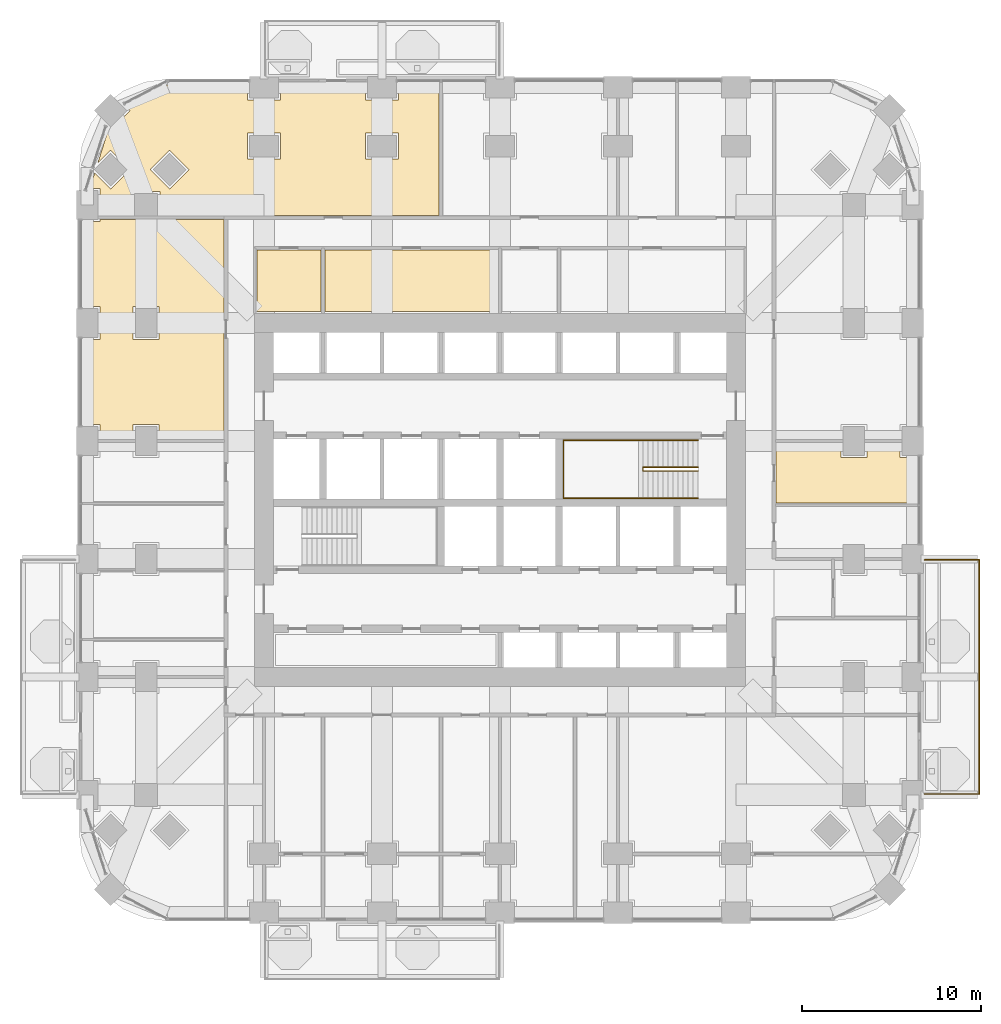
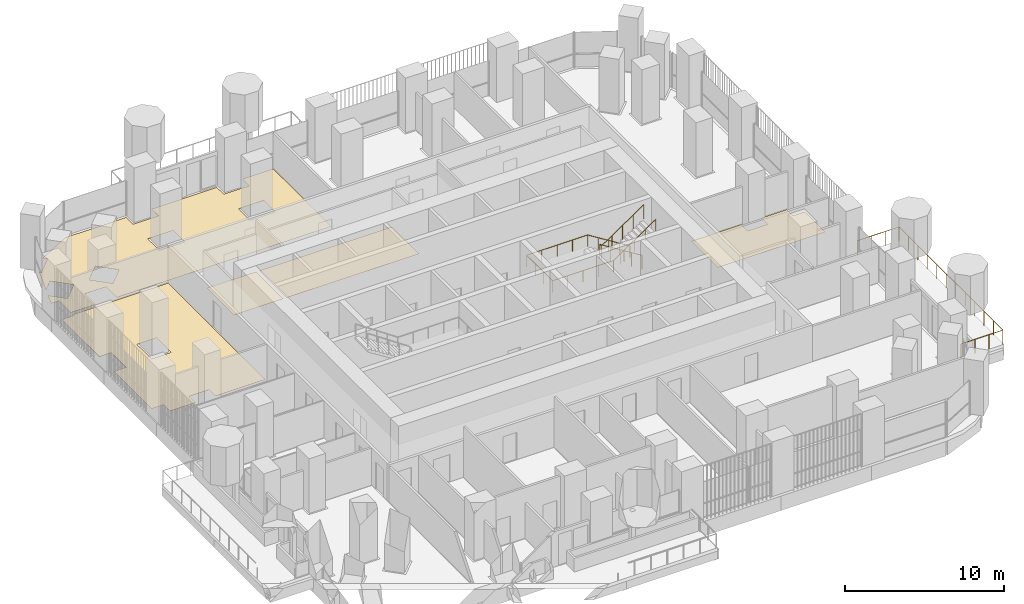
# One storey, part 19 of 21: 5 coverings, 3 railings.
"""IFC4 building model written with IfcOpenShell, lengths in metres."""

from ifc_helpers import new_model, si_unit, direction, frame, origin, place, context, subcontext, project, spatial, polyline, outline, extrude, material, layer, layer_set, type_object, element, save


model = new_model("IFC4")

# Units and contexts
model_context = context("Model", 3, precision=1e-05, world=origin(), true_north=direction((0.0, 1.0)))
body_context = subcontext(model_context, "Body", "Model", "MODEL_VIEW")
ifc_project = project(units=[si_unit("LENGTHUNIT", "METRE"), si_unit("AREAUNIT", "SQUARE_METRE"), si_unit("VOLUMEUNIT", "CUBIC_METRE"), si_unit("PLANEANGLEUNIT", "RADIAN"), si_unit("MASSUNIT", "GRAM", prefix="KILO")], contexts=[model_context])

# Site, building, storey
site_placement = place(None, origin())
site = spatial("IfcSite", under=ifc_project, at=site_placement, CompositionType="ELEMENT")
building_placement = place(site_placement, origin())
building = spatial("IfcBuilding", under=site, at=building_placement, Name="Cobogo Forest Laboratory Tower", CompositionType="ELEMENT")
storey_placement = place(building_placement, frame((0.0, 0.0, 99.0)))
storey = spatial("IfcBuildingStorey", under=building, at=storey_placement, Name="L22", CompositionType="ELEMENT", Elevation=99.0)

# Railing
ifc_material_1 = material(Name="Laminated glass balustrade", Category="glass")
railing_type_1 = type_object("IfcRailingType", Name="BG1 glass balustrade 1100", PredefinedType="GUARDRAIL", material=ifc_material_1)
railing_1_placement = place(storey_placement, frame((50.14990234375, 6.64990234375, 0.0)))
element("IfcRailing", 1, at=railing_1_placement, inside=storey, type_object=railing_type_1, Name="Balcony balustrade BAL-E1 L22", PredefinedType="GUARDRAIL", context=body_context, shape_type="SweptSolid", body=[
    extrude(outline(polyline([(0.022216796875, 0.00927734375), (0.00927734375, 0.022216796875), (-0.00927734375, 0.022216796875), (-0.022216796875, 0.00927734375), (-0.022216796875, -0.00927734375), (-0.00927734375, -0.022216796875), (0.00927734375, -0.022216796875), (0.022216796875, -0.00927734375), (0.022216796875, 0.00927734375)])), frame((0.0, 0.0, 1.077880859375), z_axis=(1.0, 0.0, 0.0), x_axis=(0.0, 1.0, 0.0)), (0.0, 0.0, 1.0), 3.050048828125),
    extrude(outline(polyline([(0.022216796875, 0.00927734375), (0.00927734375, 0.022216796875), (-0.00927734375, 0.022216796875), (-0.022216796875, 0.00927734375), (-0.022216796875, -0.00927734375), (-0.00927734375, -0.022216796875), (0.00927734375, -0.022216796875), (0.022216796875, -0.00927734375), (0.022216796875, 0.00927734375)])), frame((3.050048828125, 0.0, 1.077880859375), z_axis=(0.0, 1.0, 0.0), x_axis=(-1.0, 0.0, 0.0)), (0.0, 0.0, 1.0), 13.10009765625),
    extrude(outline(polyline([(0.022216796875, 0.00927734375), (0.00927734375, 0.022216796875), (-0.00927734375, 0.022216796875), (-0.022216796875, 0.00927734375), (-0.022216796875, -0.00927734375), (-0.00927734375, -0.022216796875), (0.00927734375, -0.022216796875), (0.022216796875, -0.00927734375), (0.022216796875, 0.00927734375)])), frame((3.050048828125, 13.10009765625, 1.077880859375), z_axis=(-1.0, 0.0, 0.0), x_axis=(0.0, -1.0, 0.0)), (0.0, 0.0, 1.0), 3.050048828125),
    extrude(outline(polyline([(0.019287109375, 0.008056640625), (0.008056640625, 0.019287109375), (-0.008056640625, 0.019287109375), (-0.019287109375, 0.008056640625), (-0.019287109375, -0.008056640625), (-0.008056640625, -0.019287109375), (0.008056640625, -0.019287109375), (0.019287109375, -0.008056640625), (0.019287109375, 0.008056640625)])), origin(), (0.0, 0.0, 1.0), 1.077880859375),
    extrude(outline(polyline([(0.019287109375, 0.008056640625), (0.008056640625, 0.019287109375), (-0.008056640625, 0.019287109375), (-0.019287109375, 0.008056640625), (-0.019287109375, -0.008056640625), (-0.008056640625, -0.019287109375), (0.008056640625, -0.019287109375), (0.019287109375, -0.008056640625), (0.019287109375, 0.008056640625)])), frame((1.0166015625, 0.0, 0.0)), (0.0, 0.0, 1.0), 1.077880859375),
    extrude(outline(polyline([(0.019287109375, 0.008056640625), (0.008056640625, 0.019287109375), (-0.008056640625, 0.019287109375), (-0.019287109375, 0.008056640625), (-0.019287109375, -0.008056640625), (-0.008056640625, -0.019287109375), (0.008056640625, -0.019287109375), (0.019287109375, -0.008056640625), (0.019287109375, 0.008056640625)])), frame((2.033447265625, 0.0, 0.0)), (0.0, 0.0, 1.0), 1.077880859375),
    extrude(outline(polyline([(0.019287109375, 0.008056640625), (0.008056640625, 0.019287109375), (-0.008056640625, 0.019287109375), (-0.019287109375, 0.008056640625), (-0.019287109375, -0.008056640625), (-0.008056640625, -0.019287109375), (0.008056640625, -0.019287109375), (0.019287109375, -0.008056640625), (0.019287109375, 0.008056640625)])), frame((3.050048828125, 0.0, 0.0)), (0.0, 0.0, 1.0), 1.077880859375),
    extrude(outline(polyline([(0.019287109375, 0.008056640625), (0.008056640625, 0.019287109375), (-0.008056640625, 0.019287109375), (-0.019287109375, 0.008056640625), (-0.019287109375, -0.008056640625), (-0.008056640625, -0.019287109375), (0.008056640625, -0.019287109375), (0.019287109375, -0.008056640625), (0.019287109375, 0.008056640625)])), frame((3.050048828125, 1.19091796875, 0.0)), (0.0, 0.0, 1.0), 1.077880859375),
    extrude(outline(polyline([(0.019287109375, 0.008056640625), (0.008056640625, 0.019287109375), (-0.008056640625, 0.019287109375), (-0.019287109375, 0.008056640625), (-0.019287109375, -0.008056640625), (-0.008056640625, -0.019287109375), (0.008056640625, -0.019287109375), (0.019287109375, -0.008056640625), (0.019287109375, 0.008056640625)])), frame((3.050048828125, 2.3818359375, 0.0)), (0.0, 0.0, 1.0), 1.077880859375),
    extrude(outline(polyline([(0.019287109375, 0.008056640625), (0.008056640625, 0.019287109375), (-0.008056640625, 0.019287109375), (-0.019287109375, 0.008056640625), (-0.019287109375, -0.008056640625), (-0.008056640625, -0.019287109375), (0.008056640625, -0.019287109375), (0.019287109375, -0.008056640625), (0.019287109375, 0.008056640625)])), frame((3.050048828125, 3.57275390625, 0.0)), (0.0, 0.0, 1.0), 1.077880859375),
    extrude(outline(polyline([(0.019287109375, 0.008056640625), (0.008056640625, 0.019287109375), (-0.008056640625, 0.019287109375), (-0.019287109375, 0.008056640625), (-0.019287109375, -0.008056640625), (-0.008056640625, -0.019287109375), (0.008056640625, -0.019287109375), (0.019287109375, -0.008056640625), (0.019287109375, 0.008056640625)])), frame((3.050048828125, 4.763671875, 0.0)), (0.0, 0.0, 1.0), 1.077880859375),
    extrude(outline(polyline([(0.019287109375, 0.008056640625), (0.008056640625, 0.019287109375), (-0.008056640625, 0.019287109375), (-0.019287109375, 0.008056640625), (-0.019287109375, -0.008056640625), (-0.008056640625, -0.019287109375), (0.008056640625, -0.019287109375), (0.019287109375, -0.008056640625), (0.019287109375, 0.008056640625)])), frame((3.050048828125, 5.95458984375, 0.0)), (0.0, 0.0, 1.0), 1.077880859375),
    extrude(outline(polyline([(0.019287109375, 0.008056640625), (0.008056640625, 0.019287109375), (-0.008056640625, 0.019287109375), (-0.019287109375, 0.008056640625), (-0.019287109375, -0.008056640625), (-0.008056640625, -0.019287109375), (0.008056640625, -0.019287109375), (0.019287109375, -0.008056640625), (0.019287109375, 0.008056640625)])), frame((3.050048828125, 7.1455078125, 0.0)), (0.0, 0.0, 1.0), 1.077880859375),
    extrude(outline(polyline([(0.019287109375, 0.008056640625), (0.008056640625, 0.019287109375), (-0.008056640625, 0.019287109375), (-0.019287109375, 0.008056640625), (-0.019287109375, -0.008056640625), (-0.008056640625, -0.019287109375), (0.008056640625, -0.019287109375), (0.019287109375, -0.008056640625), (0.019287109375, 0.008056640625)])), frame((3.050048828125, 8.33642578125, 0.0)), (0.0, 0.0, 1.0), 1.077880859375),
    extrude(outline(polyline([(0.019287109375, 0.008056640625), (0.008056640625, 0.019287109375), (-0.008056640625, 0.019287109375), (-0.019287109375, 0.008056640625), (-0.019287109375, -0.008056640625), (-0.008056640625, -0.019287109375), (0.008056640625, -0.019287109375), (0.019287109375, -0.008056640625), (0.019287109375, 0.008056640625)])), frame((3.050048828125, 9.52734375, 0.0)), (0.0, 0.0, 1.0), 1.077880859375),
    extrude(outline(polyline([(0.019287109375, 0.008056640625), (0.008056640625, 0.019287109375), (-0.008056640625, 0.019287109375), (-0.019287109375, 0.008056640625), (-0.019287109375, -0.008056640625), (-0.008056640625, -0.019287109375), (0.008056640625, -0.019287109375), (0.019287109375, -0.008056640625), (0.019287109375, 0.008056640625)])), frame((3.050048828125, 10.71826171875, 0.0)), (0.0, 0.0, 1.0), 1.077880859375),
    extrude(outline(polyline([(0.019287109375, 0.008056640625), (0.008056640625, 0.019287109375), (-0.008056640625, 0.019287109375), (-0.019287109375, 0.008056640625), (-0.019287109375, -0.008056640625), (-0.008056640625, -0.019287109375), (0.008056640625, -0.019287109375), (0.019287109375, -0.008056640625), (0.019287109375, 0.008056640625)])), frame((3.050048828125, 11.9091796875, 0.0)), (0.0, 0.0, 1.0), 1.077880859375),
    extrude(outline(polyline([(0.019287109375, 0.008056640625), (0.008056640625, 0.019287109375), (-0.008056640625, 0.019287109375), (-0.019287109375, 0.008056640625), (-0.019287109375, -0.008056640625), (-0.008056640625, -0.019287109375), (0.008056640625, -0.019287109375), (0.019287109375, -0.008056640625), (0.019287109375, 0.008056640625)])), frame((3.050048828125, 13.10009765625, 0.0)), (0.0, 0.0, 1.0), 1.077880859375),
    extrude(outline(polyline([(0.019287109375, 0.008056640625), (0.008056640625, 0.019287109375), (-0.008056640625, 0.019287109375), (-0.019287109375, 0.008056640625), (-0.019287109375, -0.008056640625), (-0.008056640625, -0.019287109375), (0.008056640625, -0.019287109375), (0.019287109375, -0.008056640625), (0.019287109375, 0.008056640625)])), frame((2.033447265625, 13.10009765625, 0.0)), (0.0, 0.0, 1.0), 1.077880859375),
    extrude(outline(polyline([(0.019287109375, 0.008056640625), (0.008056640625, 0.019287109375), (-0.008056640625, 0.019287109375), (-0.019287109375, 0.008056640625), (-0.019287109375, -0.008056640625), (-0.008056640625, -0.019287109375), (0.008056640625, -0.019287109375), (0.019287109375, -0.008056640625), (0.019287109375, 0.008056640625)])), frame((1.0166015625, 13.10009765625, 0.0)), (0.0, 0.0, 1.0), 1.077880859375),
    extrude(outline(polyline([(0.019287109375, 0.008056640625), (0.008056640625, 0.019287109375), (-0.008056640625, 0.019287109375), (-0.019287109375, 0.008056640625), (-0.019287109375, -0.008056640625), (-0.008056640625, -0.019287109375), (0.008056640625, -0.019287109375), (0.019287109375, -0.008056640625), (0.019287109375, 0.008056640625)])), frame((0.0, 13.10009765625, 0.0)), (0.0, 0.0, 1.0), 1.077880859375),
])

# Coverings
ifc_material_2 = material(Name="Carpet tile on raised access floor", Category="flooring")
ifc_layer_1 = layer(ifc_material_2, 0.008056640625)
ifc_layer_set_1 = layer_set([ifc_layer_1], Name="CT1 carpet tile floor 8")
covering_type_1 = type_object("IfcCoveringType", Name="CT1 carpet tile floor 8", PredefinedType="FLOORING", material=ifc_layer_set_1)
covering_1_placement = place(storey_placement, origin())
element("IfcCovering", 2, at=covering_1_placement, inside=storey, type_object=covering_type_1, Name="Carpet floor L22-21", PredefinedType="FLOORING", context=body_context, shape_type="SweptSolid", body=[
    extrude(outline(polyline([(3.72412109375, 41.386962890625), (4.617919921875, 40.492919921875), (5.70703125, 41.58203125), (4.617919921875, 42.6708984375), (3.904052734375, 41.95703125), (4.51611328125, 43.89501953125), (4.617919921875, 43.79296875), (5.70703125, 44.882080078125), (5.480712890625, 45.1083984375), (7.84912109375, 46.35009765625), (12.280029296875, 46.35009765625), (12.280029296875, 45.47998046875), (14.1201171875, 45.47998046875), (14.1201171875, 46.35009765625), (18.8798828125, 46.35009765625), (18.8798828125, 45.47998046875), (20.719970703125, 45.47998046875), (20.719970703125, 46.35009765625), (22.97998046875, 46.35009765625), (22.97998046875, 39.02001953125), (7.3701171875, 39.02001953125), (7.3701171875, 40.3701171875), (5.830078125, 40.3701171875), (5.830078125, 39.02001953125), (4.02001953125, 39.02001953125), (4.02001953125, 40.52001953125), (3.4501953125, 40.52001953125), (3.72412109375, 41.386962890625)]), holes=[polyline([(18.8798828125, 42.179931640625), (20.719970703125, 42.179931640625), (20.719970703125, 43.6201171875), (18.8798828125, 43.6201171875), (18.8798828125, 42.179931640625)]), polyline([(12.280029296875, 43.6201171875), (12.280029296875, 42.179931640625), (14.1201171875, 42.179931640625), (14.1201171875, 43.6201171875), (12.280029296875, 43.6201171875)]), polyline([(6.8291015625, 41.58203125), (7.91796875, 40.492919921875), (9.007080078125, 41.58203125), (7.91796875, 42.6708984375), (6.8291015625, 41.58203125)])]), origin(), (0.0, 0.0, 1.0), 0.008056640625),
])
covering_2_placement = place(storey_placement, origin())
element("IfcCovering", 3, at=covering_2_placement, inside=storey, type_object=covering_type_1, Name="Carpet floor L22-30", PredefinedType="FLOORING", context=body_context, shape_type="SweptSolid", body=[
    extrude(outline(polyline([(4.02001953125, 38.780029296875), (10.955078125, 38.780029296875), (10.955078125, 26.52001953125), (7.320068359375, 26.52001953125), (7.320068359375, 27.320068359375), (5.8798828125, 27.320068359375), (5.8798828125, 26.52001953125), (4.02001953125, 26.52001953125), (4.02001953125, 27.320068359375), (3.14990234375, 27.320068359375), (3.14990234375, 32.080078125), (4.02001953125, 32.080078125), (4.02001953125, 33.919921875), (3.14990234375, 33.919921875), (3.14990234375, 38.679931640625), (4.02001953125, 38.679931640625), (4.02001953125, 38.780029296875)]), holes=[polyline([(5.8798828125, 32.080078125), (7.320068359375, 32.080078125), (7.320068359375, 33.919921875), (5.8798828125, 33.919921875), (5.8798828125, 32.080078125)])]), origin(), (0.0, 0.0, 1.0), 0.008056640625),
])

# Railings
ifc_material_3 = material(Name="Steel balustrade", Category="steel")
railing_type_2 = type_object("IfcRailingType", Name="GR stair guard 1100", PredefinedType="GUARDRAIL", material=ifc_material_3)
railing_2_placement = place(storey_placement, frame((37.47509765625, 24.929931640625, 0.175048828125)))
element("IfcRailing", 4, at=railing_2_placement, inside=storey, type_object=railing_type_2, Name="Stair guard ST2 L22", PredefinedType="GUARDRAIL", context=body_context, shape_type="SweptSolid", body=[
    extrude(outline(polyline([(0.022216796875, 0.00927734375), (0.00927734375, 0.022216796875), (-0.00927734375, 0.022216796875), (-0.022216796875, 0.00927734375), (-0.022216796875, -0.00927734375), (-0.00927734375, -0.022216796875), (0.00927734375, -0.022216796875), (0.022216796875, -0.00927734375), (0.022216796875, 0.00927734375)])), frame((0.0, 0.0, 1.077880859375), z_axis=(-0.847998304005, 0.0, 0.529998940003), x_axis=(0.0, -1.0, 0.0)), (0.0, 0.0, 1.0), 3.632080078125),
    extrude(outline(polyline([(0.022216796875, 0.00927734375), (0.00927734375, 0.022216796875), (-0.00927734375, 0.022216796875), (-0.022216796875, 0.00927734375), (-0.022216796875, -0.00927734375), (-0.00927734375, -0.022216796875), (0.00927734375, -0.022216796875), (0.022216796875, -0.00927734375), (0.022216796875, 0.00927734375)])), frame((-3.080078125, 0.0, 3.0029296875), z_axis=(0.0, -1.0, 0.0), x_axis=(1.0, 0.0, 0.0)), (0.0, 0.0, 1.0), 0.2099609375),
    extrude(outline(polyline([(0.022216796875, 0.00927734375), (0.00927734375, 0.022216796875), (-0.00927734375, 0.022216796875), (-0.022216796875, 0.00927734375), (-0.022216796875, -0.00927734375), (-0.00927734375, -0.022216796875), (0.00927734375, -0.022216796875), (0.022216796875, -0.00927734375), (0.022216796875, 0.00927734375)])), frame((-3.080078125, -0.2099609375, 3.0029296875), z_axis=(0.826252282691, 0.0, 0.563300244406), x_axis=(0.0, 1.0, 0.0)), (0.0, 0.0, 1.0), 3.727783203125),
    extrude(outline(polyline([(0.019287109375, 0.008056640625), (0.008056640625, 0.019287109375), (-0.008056640625, 0.019287109375), (-0.019287109375, 0.008056640625), (-0.019287109375, -0.008056640625), (-0.008056640625, -0.019287109375), (0.008056640625, -0.019287109375), (0.019287109375, -0.008056640625), (0.019287109375, 0.008056640625)])), origin(), (0.0, 0.0, 1.0), 1.077880859375),
    extrude(outline(polyline([(0.019287109375, 0.008056640625), (0.008056640625, 0.019287109375), (-0.008056640625, 0.019287109375), (-0.019287109375, 0.008056640625), (-0.019287109375, -0.008056640625), (-0.008056640625, -0.019287109375), (0.008056640625, -0.019287109375), (0.019287109375, -0.008056640625), (0.019287109375, 0.008056640625)])), frame((-0.77001953125, 0.0, 0.481201171875)), (0.0, 0.0, 1.0), 1.077880859375),
    extrude(outline(polyline([(0.019287109375, 0.008056640625), (0.008056640625, 0.019287109375), (-0.008056640625, 0.019287109375), (-0.019287109375, 0.008056640625), (-0.019287109375, -0.008056640625), (-0.008056640625, -0.019287109375), (0.008056640625, -0.019287109375), (0.019287109375, -0.008056640625), (0.019287109375, 0.008056640625)])), frame((-1.5400390625, 0.0, 0.96240234375)), (0.0, 0.0, 1.0), 1.077880859375),
    extrude(outline(polyline([(0.019287109375, 0.008056640625), (0.008056640625, 0.019287109375), (-0.008056640625, 0.019287109375), (-0.019287109375, 0.008056640625), (-0.019287109375, -0.008056640625), (-0.008056640625, -0.019287109375), (0.008056640625, -0.019287109375), (0.019287109375, -0.008056640625), (0.019287109375, 0.008056640625)])), frame((-2.31005859375, 0.0, 1.44384765625)), (0.0, 0.0, 1.0), 1.077880859375),
    extrude(outline(polyline([(0.019287109375, 0.008056640625), (0.008056640625, 0.019287109375), (-0.008056640625, 0.019287109375), (-0.019287109375, 0.008056640625), (-0.019287109375, -0.008056640625), (-0.008056640625, -0.019287109375), (0.008056640625, -0.019287109375), (0.019287109375, -0.008056640625), (0.019287109375, 0.008056640625)])), frame((-3.080078125, 0.0, 1.925048828125)), (0.0, 0.0, 1.0), 1.077880859375),
    extrude(outline(polyline([(0.019287109375, 0.008056640625), (0.008056640625, 0.019287109375), (-0.008056640625, 0.019287109375), (-0.019287109375, 0.008056640625), (-0.019287109375, -0.008056640625), (-0.008056640625, -0.019287109375), (0.008056640625, -0.019287109375), (0.019287109375, -0.008056640625), (0.019287109375, 0.008056640625)])), frame((-3.080078125, -0.2099609375, 1.925048828125)), (0.0, 0.0, 1.0), 1.077880859375),
    extrude(outline(polyline([(0.019287109375, 0.008056640625), (0.008056640625, 0.019287109375), (-0.008056640625, 0.019287109375), (-0.019287109375, 0.008056640625), (-0.019287109375, -0.008056640625), (-0.008056640625, -0.019287109375), (0.008056640625, -0.019287109375), (0.019287109375, -0.008056640625), (0.019287109375, 0.008056640625)])), frame((-2.31005859375, -0.2099609375, 2.449951171875)), (0.0, 0.0, 1.0), 1.077880859375),
    extrude(outline(polyline([(0.019287109375, 0.008056640625), (0.008056640625, 0.019287109375), (-0.008056640625, 0.019287109375), (-0.019287109375, 0.008056640625), (-0.019287109375, -0.008056640625), (-0.008056640625, -0.019287109375), (0.008056640625, -0.019287109375), (0.019287109375, -0.008056640625), (0.019287109375, 0.008056640625)])), frame((-1.5400390625, -0.2099609375, 2.97509765625)), (0.0, 0.0, 1.0), 1.077880859375),
    extrude(outline(polyline([(0.019287109375, 0.008056640625), (0.008056640625, 0.019287109375), (-0.008056640625, 0.019287109375), (-0.019287109375, 0.008056640625), (-0.019287109375, -0.008056640625), (-0.008056640625, -0.019287109375), (0.008056640625, -0.019287109375), (0.019287109375, -0.008056640625), (0.019287109375, 0.008056640625)])), frame((-0.77001953125, -0.2099609375, 3.5)), (0.0, 0.0, 1.0), 1.077880859375),
    extrude(outline(polyline([(0.019287109375, 0.008056640625), (0.008056640625, 0.019287109375), (-0.008056640625, 0.019287109375), (-0.019287109375, 0.008056640625), (-0.019287109375, -0.008056640625), (-0.008056640625, -0.019287109375), (0.008056640625, -0.019287109375), (0.019287109375, -0.008056640625), (0.019287109375, 0.008056640625)])), frame((0.0, -0.2099609375, 4.02490234375)), (0.0, 0.0, 1.0), 1.077880859375),
])
ifc_material_4 = material(Name="Stainless steel handrail", Category="steel")
railing_type_3 = type_object("IfcRailingType", Name="HR handrail 900", PredefinedType="HANDRAIL", material=ifc_material_4)
railing_3_placement = place(storey_placement, frame((37.47509765625, 26.449951171875, 0.175048828125)))
element("IfcRailing", 5, at=railing_3_placement, inside=storey, type_object=railing_type_3, Name="Stair handrail ST2 L22", PredefinedType="HANDRAIL", context=body_context, shape_type="SweptSolid", body=[
    extrude(outline(polyline([(0.022216796875, 0.00927734375), (0.00927734375, 0.022216796875), (-0.00927734375, 0.022216796875), (-0.022216796875, 0.00927734375), (-0.022216796875, -0.00927734375), (-0.00927734375, -0.022216796875), (0.00927734375, -0.022216796875), (0.022216796875, -0.00927734375), (0.022216796875, 0.00927734375)])), frame((0.0, 0.0, 0.877685546875), z_axis=(-0.847998304005, 0.0, 0.529998940003), x_axis=(0.0, -1.0, 0.0)), (0.0, 0.0, 1.0), 3.632080078125),
    extrude(outline(polyline([(0.022216796875, 0.00927734375), (0.00927734375, 0.022216796875), (-0.00927734375, 0.022216796875), (-0.022216796875, 0.00927734375), (-0.022216796875, -0.00927734375), (-0.00927734375, -0.022216796875), (0.00927734375, -0.022216796875), (0.022216796875, -0.00927734375), (0.022216796875, 0.00927734375)])), frame((-3.080078125, 0.0, 2.802734375), z_axis=(-1.0, 0.0, 0.0), x_axis=(0.0, -1.0, 0.0)), (0.0, 0.0, 1.0), 4.445068359375),
    extrude(outline(polyline([(0.022216796875, 0.00927734375), (0.00927734375, 0.022216796875), (-0.00927734375, 0.022216796875), (-0.022216796875, 0.00927734375), (-0.022216796875, -0.00927734375), (-0.00927734375, -0.022216796875), (0.00927734375, -0.022216796875), (0.022216796875, -0.00927734375), (0.022216796875, 0.00927734375)])), frame((-7.525146484375, 0.0, 2.802734375), z_axis=(0.0, -1.0, 0.0), x_axis=(1.0, 0.0, 0.0)), (0.0, 0.0, 1.0), 3.25),
    extrude(outline(polyline([(0.022216796875, 0.00927734375), (0.00927734375, 0.022216796875), (-0.00927734375, 0.022216796875), (-0.022216796875, 0.00927734375), (-0.022216796875, -0.00927734375), (-0.00927734375, -0.022216796875), (0.00927734375, -0.022216796875), (0.022216796875, -0.00927734375), (0.022216796875, 0.00927734375)])), frame((-7.525146484375, -3.25, 2.802734375), z_axis=(1.0, 0.0, 0.0), x_axis=(0.0, 1.0, 0.0)), (0.0, 0.0, 1.0), 4.445068359375),
    extrude(outline(polyline([(0.022216796875, 0.00927734375), (0.00927734375, 0.022216796875), (-0.00927734375, 0.022216796875), (-0.022216796875, 0.00927734375), (-0.022216796875, -0.00927734375), (-0.00927734375, -0.022216796875), (0.00927734375, -0.022216796875), (0.022216796875, -0.00927734375), (0.022216796875, 0.00927734375)])), frame((-3.080078125, -3.25, 2.802734375), z_axis=(0.826252282691, 0.0, 0.563300244406), x_axis=(0.0, 1.0, 0.0)), (0.0, 0.0, 1.0), 3.727783203125),
    extrude(outline(polyline([(0.019287109375, 0.008056640625), (0.008056640625, 0.019287109375), (-0.008056640625, 0.019287109375), (-0.019287109375, 0.008056640625), (-0.019287109375, -0.008056640625), (-0.008056640625, -0.019287109375), (0.008056640625, -0.019287109375), (0.019287109375, -0.008056640625), (0.019287109375, 0.008056640625)])), origin(), (0.0, 0.0, 1.0), 0.877685546875),
    extrude(outline(polyline([(0.019287109375, 0.008056640625), (0.008056640625, 0.019287109375), (-0.008056640625, 0.019287109375), (-0.019287109375, 0.008056640625), (-0.019287109375, -0.008056640625), (-0.008056640625, -0.019287109375), (0.008056640625, -0.019287109375), (0.019287109375, -0.008056640625), (0.019287109375, 0.008056640625)])), frame((-0.77001953125, 0.0, 0.481201171875)), (0.0, 0.0, 1.0), 0.877685546875),
    extrude(outline(polyline([(0.019287109375, 0.008056640625), (0.008056640625, 0.019287109375), (-0.008056640625, 0.019287109375), (-0.019287109375, 0.008056640625), (-0.019287109375, -0.008056640625), (-0.008056640625, -0.019287109375), (0.008056640625, -0.019287109375), (0.019287109375, -0.008056640625), (0.019287109375, 0.008056640625)])), frame((-1.5400390625, 0.0, 0.96240234375)), (0.0, 0.0, 1.0), 0.877685546875),
    extrude(outline(polyline([(0.019287109375, 0.008056640625), (0.008056640625, 0.019287109375), (-0.008056640625, 0.019287109375), (-0.019287109375, 0.008056640625), (-0.019287109375, -0.008056640625), (-0.008056640625, -0.019287109375), (0.008056640625, -0.019287109375), (0.019287109375, -0.008056640625), (0.019287109375, 0.008056640625)])), frame((-2.31005859375, 0.0, 1.44384765625)), (0.0, 0.0, 1.0), 0.877685546875),
    extrude(outline(polyline([(0.019287109375, 0.008056640625), (0.008056640625, 0.019287109375), (-0.008056640625, 0.019287109375), (-0.019287109375, 0.008056640625), (-0.019287109375, -0.008056640625), (-0.008056640625, -0.019287109375), (0.008056640625, -0.019287109375), (0.019287109375, -0.008056640625), (0.019287109375, 0.008056640625)])), frame((-3.080078125, 0.0, 1.925048828125)), (0.0, 0.0, 1.0), 0.877685546875),
    extrude(outline(polyline([(0.019287109375, 0.008056640625), (0.008056640625, 0.019287109375), (-0.008056640625, 0.019287109375), (-0.019287109375, 0.008056640625), (-0.019287109375, -0.008056640625), (-0.008056640625, -0.019287109375), (0.008056640625, -0.019287109375), (0.019287109375, -0.008056640625), (0.019287109375, 0.008056640625)])), frame((-4.19140625, 0.0, 1.925048828125)), (0.0, 0.0, 1.0), 0.877685546875),
    extrude(outline(polyline([(0.019287109375, 0.008056640625), (0.008056640625, 0.019287109375), (-0.008056640625, 0.019287109375), (-0.019287109375, 0.008056640625), (-0.019287109375, -0.008056640625), (-0.008056640625, -0.019287109375), (0.008056640625, -0.019287109375), (0.019287109375, -0.008056640625), (0.019287109375, 0.008056640625)])), frame((-5.302734375, 0.0, 1.925048828125)), (0.0, 0.0, 1.0), 0.877685546875),
    extrude(outline(polyline([(0.019287109375, 0.008056640625), (0.008056640625, 0.019287109375), (-0.008056640625, 0.019287109375), (-0.019287109375, 0.008056640625), (-0.019287109375, -0.008056640625), (-0.008056640625, -0.019287109375), (0.008056640625, -0.019287109375), (0.019287109375, -0.008056640625), (0.019287109375, 0.008056640625)])), frame((-6.413818359375, 0.0, 1.925048828125)), (0.0, 0.0, 1.0), 0.877685546875),
    extrude(outline(polyline([(0.019287109375, 0.008056640625), (0.008056640625, 0.019287109375), (-0.008056640625, 0.019287109375), (-0.019287109375, 0.008056640625), (-0.019287109375, -0.008056640625), (-0.008056640625, -0.019287109375), (0.008056640625, -0.019287109375), (0.019287109375, -0.008056640625), (0.019287109375, 0.008056640625)])), frame((-7.525146484375, 0.0, 1.925048828125)), (0.0, 0.0, 1.0), 0.877685546875),
    extrude(outline(polyline([(0.019287109375, 0.008056640625), (0.008056640625, 0.019287109375), (-0.008056640625, 0.019287109375), (-0.019287109375, 0.008056640625), (-0.019287109375, -0.008056640625), (-0.008056640625, -0.019287109375), (0.008056640625, -0.019287109375), (0.019287109375, -0.008056640625), (0.019287109375, 0.008056640625)])), frame((-7.525146484375, -1.083251953125, 1.925048828125)), (0.0, 0.0, 1.0), 0.877685546875),
    extrude(outline(polyline([(0.019287109375, 0.008056640625), (0.008056640625, 0.019287109375), (-0.008056640625, 0.019287109375), (-0.019287109375, 0.008056640625), (-0.019287109375, -0.008056640625), (-0.008056640625, -0.019287109375), (0.008056640625, -0.019287109375), (0.019287109375, -0.008056640625), (0.019287109375, 0.008056640625)])), frame((-7.525146484375, -2.166748046875, 1.925048828125)), (0.0, 0.0, 1.0), 0.877685546875),
    extrude(outline(polyline([(0.019287109375, 0.008056640625), (0.008056640625, 0.019287109375), (-0.008056640625, 0.019287109375), (-0.019287109375, 0.008056640625), (-0.019287109375, -0.008056640625), (-0.008056640625, -0.019287109375), (0.008056640625, -0.019287109375), (0.019287109375, -0.008056640625), (0.019287109375, 0.008056640625)])), frame((-7.525146484375, -3.25, 1.925048828125)), (0.0, 0.0, 1.0), 0.877685546875),
    extrude(outline(polyline([(0.019287109375, 0.008056640625), (0.008056640625, 0.019287109375), (-0.008056640625, 0.019287109375), (-0.019287109375, 0.008056640625), (-0.019287109375, -0.008056640625), (-0.008056640625, -0.019287109375), (0.008056640625, -0.019287109375), (0.019287109375, -0.008056640625), (0.019287109375, 0.008056640625)])), frame((-6.413818359375, -3.25, 1.925048828125)), (0.0, 0.0, 1.0), 0.877685546875),
    extrude(outline(polyline([(0.019287109375, 0.008056640625), (0.008056640625, 0.019287109375), (-0.008056640625, 0.019287109375), (-0.019287109375, 0.008056640625), (-0.019287109375, -0.008056640625), (-0.008056640625, -0.019287109375), (0.008056640625, -0.019287109375), (0.019287109375, -0.008056640625), (0.019287109375, 0.008056640625)])), frame((-5.302734375, -3.25, 1.925048828125)), (0.0, 0.0, 1.0), 0.877685546875),
    extrude(outline(polyline([(0.019287109375, 0.008056640625), (0.008056640625, 0.019287109375), (-0.008056640625, 0.019287109375), (-0.019287109375, 0.008056640625), (-0.019287109375, -0.008056640625), (-0.008056640625, -0.019287109375), (0.008056640625, -0.019287109375), (0.019287109375, -0.008056640625), (0.019287109375, 0.008056640625)])), frame((-4.19140625, -3.25, 1.925048828125)), (0.0, 0.0, 1.0), 0.877685546875),
    extrude(outline(polyline([(0.019287109375, 0.008056640625), (0.008056640625, 0.019287109375), (-0.008056640625, 0.019287109375), (-0.019287109375, 0.008056640625), (-0.019287109375, -0.008056640625), (-0.008056640625, -0.019287109375), (0.008056640625, -0.019287109375), (0.019287109375, -0.008056640625), (0.019287109375, 0.008056640625)])), frame((-3.080078125, -3.25, 1.925048828125)), (0.0, 0.0, 1.0), 0.877685546875),
    extrude(outline(polyline([(0.019287109375, 0.008056640625), (0.008056640625, 0.019287109375), (-0.008056640625, 0.019287109375), (-0.019287109375, 0.008056640625), (-0.019287109375, -0.008056640625), (-0.008056640625, -0.019287109375), (0.008056640625, -0.019287109375), (0.019287109375, -0.008056640625), (0.019287109375, 0.008056640625)])), frame((-2.31005859375, -3.25, 2.449951171875)), (0.0, 0.0, 1.0), 0.877685546875),
    extrude(outline(polyline([(0.019287109375, 0.008056640625), (0.008056640625, 0.019287109375), (-0.008056640625, 0.019287109375), (-0.019287109375, 0.008056640625), (-0.019287109375, -0.008056640625), (-0.008056640625, -0.019287109375), (0.008056640625, -0.019287109375), (0.019287109375, -0.008056640625), (0.019287109375, 0.008056640625)])), frame((-1.5400390625, -3.25, 2.97509765625)), (0.0, 0.0, 1.0), 0.877685546875),
    extrude(outline(polyline([(0.019287109375, 0.008056640625), (0.008056640625, 0.019287109375), (-0.008056640625, 0.019287109375), (-0.019287109375, 0.008056640625), (-0.019287109375, -0.008056640625), (-0.008056640625, -0.019287109375), (0.008056640625, -0.019287109375), (0.019287109375, -0.008056640625), (0.019287109375, 0.008056640625)])), frame((-0.77001953125, -3.25, 3.5)), (0.0, 0.0, 1.0), 0.877685546875),
    extrude(outline(polyline([(0.019287109375, 0.008056640625), (0.008056640625, 0.019287109375), (-0.008056640625, 0.019287109375), (-0.019287109375, 0.008056640625), (-0.019287109375, -0.008056640625), (-0.008056640625, -0.019287109375), (0.008056640625, -0.019287109375), (0.019287109375, -0.008056640625), (0.019287109375, 0.008056640625)])), frame((0.0, -3.25, 4.02490234375)), (0.0, 0.0, 1.0), 0.877685546875),
])

# Coverings
ifc_material_5 = material(Name="Epoxy resin flooring", Category="flooring")
ifc_layer_2 = layer(ifc_material_5, 0.00390625)
ifc_layer_set_2 = layer_set([ifc_layer_2], Name="LF1 epoxy laboratory floor 4")
covering_type_2 = type_object("IfcCoveringType", Name="LF1 epoxy laboratory floor 4", PredefinedType="FLOORING", material=ifc_layer_set_2)
covering_3_placement = place(storey_placement, origin())
element("IfcCovering", 6, at=covering_3_placement, inside=storey, type_object=covering_type_2, Name="Epoxy laboratory floor L22-02", PredefinedType="FLOORING", context=body_context, shape_type="SweptSolid", body=[
    extrude(outline(polyline([(26.280029296875, 33.64501953125), (16.6201171875, 33.64501953125), (16.6201171875, 37.080078125), (26.280029296875, 37.080078125), (26.280029296875, 33.64501953125)])), origin(), (0.0, 0.0, 1.0), 0.00390625),
])
ifc_material_6 = material(Name="Static-dissipative vinyl flooring", Category="flooring")
ifc_layer_3 = layer(ifc_material_6, 0.0029296875)
ifc_layer_set_3 = layer_set([ifc_layer_3], Name="SD1 static-dissipative vinyl floor 3")
covering_type_3 = type_object("IfcCoveringType", Name="SD1 static-dissipative vinyl floor 3", PredefinedType="FLOORING", material=ifc_layer_set_3)
covering_4_placement = place(storey_placement, origin())
element("IfcCovering", 7, at=covering_4_placement, inside=storey, type_object=covering_type_3, Name="Static-dissipative floor L22-19", PredefinedType="FLOORING", context=body_context, shape_type="SweptSolid", body=[
    extrude(outline(polyline([(41.844970703125, 26.280029296875), (45.47998046875, 26.280029296875), (45.47998046875, 25.47998046875), (46.919921875, 25.47998046875), (46.919921875, 26.280029296875), (48.780029296875, 26.280029296875), (48.780029296875, 25.47998046875), (49.64990234375, 25.47998046875), (49.64990234375, 22.919921875), (41.844970703125, 22.919921875), (41.844970703125, 26.280029296875)])), origin(), (0.0, 0.0, 1.0), 0.0029296875),
])
ifc_material_7 = material(Name="Ceramic floor tile", Category="flooring")
ifc_layer_4 = layer(ifc_material_7, 0.010009765625)
ifc_layer_set_4 = layer_set([ifc_layer_4], Name="TF1 ceramic tile floor 10")
covering_type_4 = type_object("IfcCoveringType", Name="TF1 ceramic tile floor 10", PredefinedType="FLOORING", material=ifc_layer_set_4)
covering_5_placement = place(storey_placement, origin())
element("IfcCovering", 8, at=covering_5_placement, inside=storey, type_object=covering_type_4, Name="Tile floor L22-01", PredefinedType="FLOORING", context=body_context, shape_type="SweptSolid", body=[
    extrude(outline(polyline([(16.3798828125, 33.64501953125), (12.794921875, 33.64501953125), (12.794921875, 37.080078125), (16.3798828125, 37.080078125), (16.3798828125, 33.64501953125)])), origin(), (0.0, 0.0, 1.0), 0.010009765625),
])

save(model, "model.ifc")
